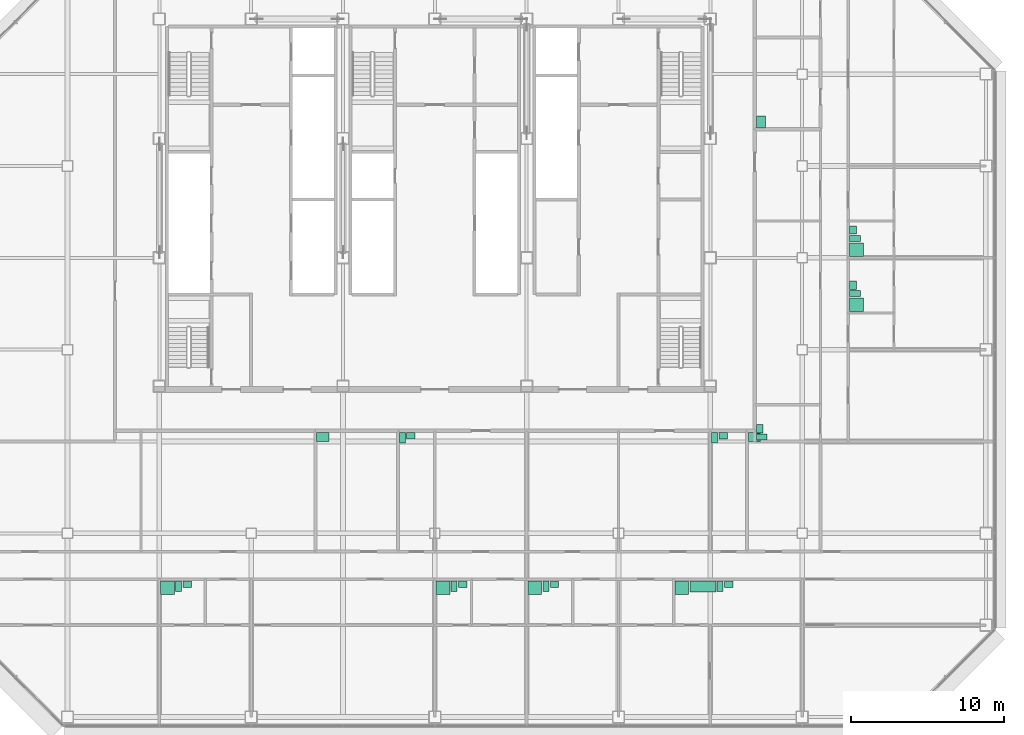
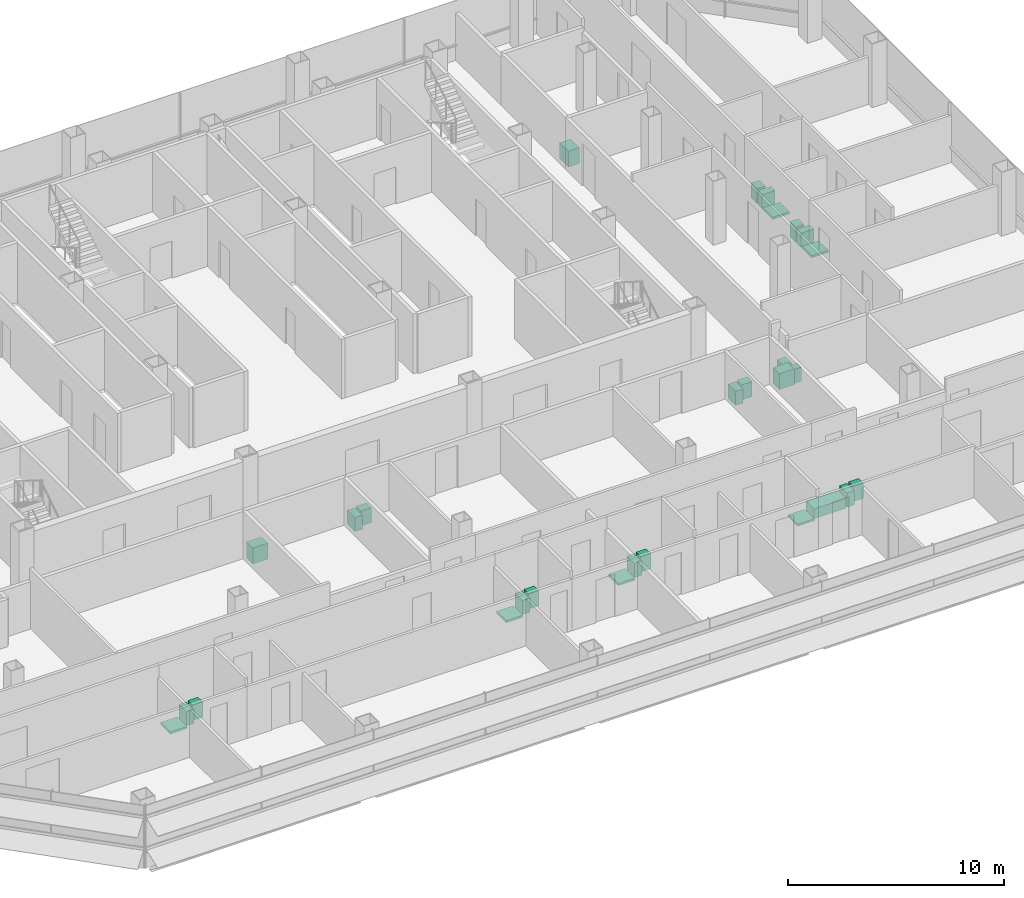
# One storey, part 26 of 26: 28 sanitary terminals.
"""IFC4 building model written with IfcOpenShell, lengths in metres."""

import ifcopenshell
import ifcopenshell.guid

model = None  # the IFC model being written
_history = None  # IfcOwnerHistory: only IFC2X3 demands one
_inside = {}  # id of a spatial element -> (the spatial element, [elements in it])
_under = {}  # id of a project, library or spatial element -> (it, [spatial elements below it])
_declared = {}  # id of a project -> (the project, [libraries it declares])
_typed = {}  # id of a type object -> (the type object, [elements of that type])
_made_of = {}  # id of a material, layer set ... -> (it, [elements and type objects made of it])


def new_model(schema):
    """Start an empty IFC model of exactly this schema.

    Asked for "IFC4X3", IfcOpenShell would pick the latest addendum, in which some entities
    have other attributes; the version numbers below select the first issue.
    IFC2X3 requires an IfcOwnerHistory on every rooted entity: one is made here for all.
    """
    global model, _history
    if schema == "IFC4X3":
        model = ifcopenshell.file(schema_version=(4, 3, 0, 0))
    else:
        model = ifcopenshell.file(schema=schema)
    _inside.clear()
    _under.clear()
    _declared.clear()
    _typed.clear()
    _made_of.clear()
    _history = None
    if model.schema == "IFC2X3":
        org = make("IfcOrganization", Name="unknown")
        user = make(
            "IfcPersonAndOrganization",
            ThePerson=make("IfcPerson", FamilyName="unknown"),
            TheOrganization=org,
        )
        app = make(
            "IfcApplication",
            ApplicationDeveloper=org,
            Version="unknown",
            ApplicationFullName="unknown",
            ApplicationIdentifier="unknown",
        )
        _history = make(
            "IfcOwnerHistory",
            OwningUser=user,
            OwningApplication=app,
            ChangeAction="ADDED",
            CreationDate=0,
        )
    return model


def make(cls, **values):
    """One entity of the class cls with the attributes given. An attribute that is None is left unset."""
    return model.create_entity(
        cls, **{name: value for name, value in values.items() if value is not None}
    )


def rooted(cls, **values):
    """An entity with a GlobalId (a new one), such as an element, a storey or a relation."""
    return make(cls, GlobalId=ifcopenshell.guid.new(), OwnerHistory=_history, **values)


def si_unit(unit_type, name, prefix=None):
    """IfcSIUnit, for example si_unit("LENGTHUNIT", "METRE", prefix="MILLI")."""
    return make("IfcSIUnit", UnitType=unit_type, Prefix=prefix, Name=name)


def assignment(units):
    """IfcUnitAssignment: the units of a project."""
    return None if units is None else make("IfcUnitAssignment", Units=units)


def point(xyz):
    """IfcCartesianPoint."""
    return None if xyz is None else make("IfcCartesianPoint", Coordinates=xyz)


def direction(xyz):
    """IfcDirection."""
    return None if xyz is None else make("IfcDirection", DirectionRatios=xyz)


def frame(location, z_axis=None, x_axis=None):
    """IfcAxis2Placement3D, a coordinate frame: its origin and axes. An axis left out is left unset."""
    return make(
        "IfcAxis2Placement3D",
        Location=point(location),
        Axis=direction(z_axis),
        RefDirection=direction(x_axis),
    )


def frame_2d(location, x_axis=None):
    """IfcAxis2Placement2D, a coordinate frame in the plane: its origin and x axis."""
    return make(
        "IfcAxis2Placement2D", Location=point(location), RefDirection=direction(x_axis)
    )


def origin():
    """The frame at (0, 0, 0) with its axes left unset."""
    return frame((0.0, 0.0, 0.0))


def origin_2d():
    """The frame at (0, 0) in the plane with its x axis left unset."""
    return frame_2d((0.0, 0.0))


def place(relative_to, where):
    """IfcLocalPlacement: puts the frame where relative to a parent placement (None: the world)."""
    return make(
        "IfcLocalPlacement", PlacementRelTo=relative_to, RelativePlacement=where
    )


def context(
    kind, dimensions, precision=None, world=None, true_north=None, identifier=None
):
    """IfcGeometricRepresentationContext, for example the 3D "Model" context."""
    return make(
        "IfcGeometricRepresentationContext",
        ContextIdentifier=identifier,
        ContextType=kind,
        CoordinateSpaceDimension=dimensions,
        Precision=precision,
        WorldCoordinateSystem=world,
        TrueNorth=true_north,
    )


def subcontext(parent, identifier, kind, view, scale=None):
    """IfcGeometricRepresentationSubContext, for example "Body" below "Model"."""
    return make(
        "IfcGeometricRepresentationSubContext",
        ContextIdentifier=identifier,
        ContextType=kind,
        ParentContext=parent,
        TargetScale=scale,
        TargetView=view,
    )


def project(units=None, contexts=None):
    """IfcProject with its units and contexts."""
    return rooted(
        "IfcProject",
        Name="project",
        RepresentationContexts=contexts,
        UnitsInContext=assignment(units),
    )


def spatial(cls, under=None, at=None, **own):
    """A site, building, storey or space (cls), placed at a placement, below another one or the project."""
    s = rooted(cls, ObjectPlacement=at, **own)
    if under is not None:
        _under.setdefault(under.id(), (under, []))[1].append(s)
    return s


def profile(cls, at=None, kind="AREA", **sizes):
    """A parametric profile (cls). Its sizes go by their IFC names, for example OverallWidth=200.0."""
    return make(cls, ProfileType=kind, Position=at, **sizes)


def rectangle(**sizes):
    """IfcRectangleProfileDef."""
    return profile("IfcRectangleProfileDef", **sizes)


def extrude(swept, where, along, depth):
    """IfcExtrudedAreaSolid: the profile swept, set in the frame where, extruded along a direction by depth."""
    return make(
        "IfcExtrudedAreaSolid",
        SweptArea=swept,
        Position=where,
        ExtrudedDirection=direction(along),
        Depth=depth,
    )


def shape(context_of_items, identifier, shape_type, items):
    """IfcShapeRepresentation: the items that make up one representation, for example the "Body"."""
    return make(
        "IfcShapeRepresentation",
        ContextOfItems=context_of_items,
        RepresentationIdentifier=identifier,
        RepresentationType=shape_type,
        Items=items,
    )


def made_of(thing, what):
    """Note that an element or type object is made of a material, layer set ...; save() writes the relation."""
    if what is not None:
        _made_of.setdefault(what.id(), (what, []))[1].append(thing)
    return thing


def element(
    cls,
    number,
    at=None,
    inside=None,
    cuts=None,
    type_object=None,
    material=None,
    context=None,
    identifier="Body",
    shape_type=None,
    held_by="IfcProductDefinitionShape",
    body=None,
    shapes=None,
    **own,
):
    """One element of the class cls, such as IfcWall. Its Tag is "e" and its number.

    at: its placement. inside: the storey or other place that contains it. cuts: it is an
    opening in that element (IfcRelVoidsElement). A single representation is given by context,
    identifier, shape_type and body (its items); several are given by shapes. held_by: the class
    of the entity that holds the representations. save() writes the other relations.
    """
    e = rooted(cls, Tag="e%d" % number, ObjectPlacement=at, **own)
    if body is not None:
        shapes = [shape(context, identifier, shape_type, body)]
    if shapes is not None:
        e.Representation = make(held_by, Representations=shapes)
    if inside is not None:
        _inside.setdefault(inside.id(), (inside, []))[1].append(e)
    if cuts is not None:
        rooted(
            "IfcRelVoidsElement", RelatingBuildingElement=cuts, RelatedOpeningElement=e
        )
    if type_object is not None:
        _typed.setdefault(type_object.id(), (type_object, []))[1].append(e)
    return made_of(e, material)


def aggregate(whole, parts):
    """IfcRelAggregates: a whole, such as a stair, and the parts it consists of."""
    return rooted("IfcRelAggregates", RelatingObject=whole, RelatedObjects=parts)


def save(model, path):
    """Write the relations noted so far, then the file.

    IfcRelAggregates (storeys below a building ...), IfcRelContainedInSpatialStructure (elements
    in a storey), IfcRelDefinesByType, IfcRelAssociatesMaterial and IfcRelDeclares: one each for
    every whole, place, type object, material and project.
    """
    for whole, parts in _under.values():
        aggregate(whole, parts)
    for where, things in _inside.values():
        rooted(
            "IfcRelContainedInSpatialStructure",
            RelatedElements=things,
            RelatingStructure=where,
        )
    for kind, things in _typed.values():
        rooted("IfcRelDefinesByType", RelatedObjects=things, RelatingType=kind)
    for what, things in _made_of.values():
        rooted("IfcRelAssociatesMaterial", RelatedObjects=things, RelatingMaterial=what)
    for by, libraries in _declared.values():
        rooted("IfcRelDeclares", RelatingContext=by, RelatedDefinitions=libraries)
    model.write(path)


model = new_model("IFC4")

# Units and contexts
model_context = context("Model", 3, precision=1e-05, world=origin(), true_north=direction((0.0, 1.0)))
body_context = subcontext(model_context, "Body", "Model", "MODEL_VIEW")
ifc_project = project(units=[si_unit("LENGTHUNIT", "METRE"), si_unit("AREAUNIT", "SQUARE_METRE"), si_unit("VOLUMEUNIT", "CUBIC_METRE"), si_unit("PLANEANGLEUNIT", "RADIAN"), si_unit("MASSUNIT", "GRAM", prefix="KILO")], contexts=[model_context])

# Site, building, storey
site_placement = place(None, origin())
site = spatial("IfcSite", under=ifc_project, at=site_placement, CompositionType="ELEMENT")
building_placement = place(site_placement, origin())
building = spatial("IfcBuilding", under=site, at=building_placement, Name="Sorahane Residences", CompositionType="ELEMENT")
storey_placement = place(building_placement, frame((0.0, 0.0, 110.60009765625)))
storey = spatial("IfcBuildingStorey", under=building, at=storey_placement, Name="L24", CompositionType="ELEMENT", Elevation=110.60009765625)

# Sanitary terminals
sanitary_terminal_1_placement = place(storey_placement, frame((6.530029296875, 8.449951171875, -0.000244140625), z_axis=(0.0, 0.0, 1.0), x_axis=(1.0, 0.0, 0.0)))
element("IfcSanitaryTerminal", 1, at=sanitary_terminal_1_placement, inside=storey, Name="Shower tray En-suite bathroom 24A", PredefinedType="SHOWER", context=body_context, shape_type="SweptSolid", body=[
    extrude(rectangle(XDim=0.89990234375, YDim=0.89990234375, at=origin_2d()), origin(), (0.0, 0.0, 1.0), 0.1201171875),
])
sanitary_terminal_2_placement = place(storey_placement, frame((7.260009765625, 8.550048828125, 0.0), z_axis=(0.0, 0.0, 1.0), x_axis=(1.0, 0.0, 0.0)))
element("IfcSanitaryTerminal", 2, at=sanitary_terminal_2_placement, inside=storey, Name="WC pan En-suite bathroom 24A", PredefinedType="TOILETPAN", context=body_context, shape_type="SweptSolid", body=[
    extrude(rectangle(XDim=0.39990234375, YDim=0.699951171875, at=origin_2d()), origin(), (0.0, 0.0, 1.0), 0.800048828125),
])
sanitary_terminal_3_placement = place(storey_placement, frame((7.81494140625, 8.675048828125, -0.000244140625), z_axis=(0.0, 0.0, 1.0), x_axis=(1.0, 0.0, 0.0)))
element("IfcSanitaryTerminal", 3, at=sanitary_terminal_3_placement, inside=storey, Name="Wash basin En-suite bathroom 24A", PredefinedType="WASHHANDBASIN", context=body_context, shape_type="SweptSolid", body=[
    extrude(rectangle(XDim=0.550048828125, YDim=0.449951171875, at=origin_2d()), origin(), (0.0, 0.0, 1.0), 0.85009765625),
])
sanitary_terminal_4_placement = place(storey_placement, frame((24.530029296875, 8.449951171875, -0.000244140625), z_axis=(0.0, 0.0, 1.0), x_axis=(1.0, 0.0, 0.0)))
element("IfcSanitaryTerminal", 4, at=sanitary_terminal_4_placement, inside=storey, Name="Shower tray En-suite bathroom 24A-2", PredefinedType="SHOWER", context=body_context, shape_type="SweptSolid", body=[
    extrude(rectangle(XDim=0.89990234375, YDim=0.89990234375, at=origin_2d()), origin(), (0.0, 0.0, 1.0), 0.1201171875),
])
sanitary_terminal_5_placement = place(storey_placement, frame((25.260009765625, 8.550048828125, 0.0), z_axis=(0.0, 0.0, 1.0), x_axis=(1.0, 0.0, 0.0)))
element("IfcSanitaryTerminal", 5, at=sanitary_terminal_5_placement, inside=storey, Name="WC pan En-suite bathroom 24A-2", PredefinedType="TOILETPAN", context=body_context, shape_type="SweptSolid", body=[
    extrude(rectangle(XDim=0.39990234375, YDim=0.699951171875, at=origin_2d()), origin(), (0.0, 0.0, 1.0), 0.800048828125),
])
sanitary_terminal_6_placement = place(storey_placement, frame((25.81494140625, 8.675048828125, -0.000244140625), z_axis=(0.0, 0.0, 1.0), x_axis=(1.0, 0.0, 0.0)))
element("IfcSanitaryTerminal", 6, at=sanitary_terminal_6_placement, inside=storey, Name="Wash basin En-suite bathroom 24A-2", PredefinedType="WASHHANDBASIN", context=body_context, shape_type="SweptSolid", body=[
    extrude(rectangle(XDim=0.550048828125, YDim=0.449951171875, at=origin_2d()), origin(), (0.0, 0.0, 1.0), 0.85009765625),
])
sanitary_terminal_7_placement = place(storey_placement, frame((16.679931640625, 18.300048828125, 0.0), z_axis=(0.0, 0.0, 1.0), x_axis=(1.0, 0.0, 0.0)))
element("IfcSanitaryTerminal", 7, at=sanitary_terminal_7_placement, inside=storey, Name="Kitchen sink Kitchen 24A", PredefinedType="SINK", context=body_context, shape_type="SweptSolid", body=[
    extrude(rectangle(XDim=0.800048828125, YDim=0.60009765625, at=origin_2d()), origin(), (0.0, 0.0, 1.0), 0.89990234375),
])
sanitary_terminal_8_placement = place(storey_placement, frame((21.8798828125, 18.25, 0.0), z_axis=(0.0, 0.0, 1.0), x_axis=(1.0, 0.0, 0.0)))
element("IfcSanitaryTerminal", 8, at=sanitary_terminal_8_placement, inside=storey, Name="WC pan Powder room 24A", PredefinedType="TOILETPAN", context=body_context, shape_type="SweptSolid", body=[
    extrude(rectangle(XDim=0.39990234375, YDim=0.699951171875, at=origin_2d()), origin(), (0.0, 0.0, 1.0), 0.800048828125),
])
sanitary_terminal_9_placement = place(storey_placement, frame((22.43505859375, 18.375, -0.000244140625), z_axis=(0.0, 0.0, 1.0), x_axis=(1.0, 0.0, 0.0)))
element("IfcSanitaryTerminal", 9, at=sanitary_terminal_9_placement, inside=storey, Name="Wash basin Powder room 24A", PredefinedType="WASHHANDBASIN", context=body_context, shape_type="SweptSolid", body=[
    extrude(rectangle(XDim=0.550048828125, YDim=0.449951171875, at=origin_2d()), origin(), (0.0, 0.0, 1.0), 0.85009765625),
])
sanitary_terminal_10_placement = place(storey_placement, frame((30.530029296875, 8.449951171875, -0.000244140625), z_axis=(0.0, 0.0, 1.0), x_axis=(1.0, 0.0, 0.0)))
element("IfcSanitaryTerminal", 10, at=sanitary_terminal_10_placement, inside=storey, Name="Shower tray En-suite bathroom 24B", PredefinedType="SHOWER", context=body_context, shape_type="SweptSolid", body=[
    extrude(rectangle(XDim=0.89990234375, YDim=0.89990234375, at=origin_2d()), origin(), (0.0, 0.0, 1.0), 0.1201171875),
])
sanitary_terminal_11_placement = place(storey_placement, frame((31.260009765625, 8.550048828125, 0.0), z_axis=(0.0, 0.0, 1.0), x_axis=(1.0, 0.0, 0.0)))
element("IfcSanitaryTerminal", 11, at=sanitary_terminal_11_placement, inside=storey, Name="WC pan En-suite bathroom 24B", PredefinedType="TOILETPAN", context=body_context, shape_type="SweptSolid", body=[
    extrude(rectangle(XDim=0.39990234375, YDim=0.699951171875, at=origin_2d()), origin(), (0.0, 0.0, 1.0), 0.800048828125),
])
sanitary_terminal_12_placement = place(storey_placement, frame((31.81494140625, 8.675048828125, -0.000244140625), z_axis=(0.0, 0.0, 1.0), x_axis=(1.0, 0.0, 0.0)))
element("IfcSanitaryTerminal", 12, at=sanitary_terminal_12_placement, inside=storey, Name="Wash basin En-suite bathroom 24B", PredefinedType="WASHHANDBASIN", context=body_context, shape_type="SweptSolid", body=[
    extrude(rectangle(XDim=0.550048828125, YDim=0.449951171875, at=origin_2d()), origin(), (0.0, 0.0, 1.0), 0.85009765625),
])
sanitary_terminal_13_placement = place(storey_placement, frame((40.1298828125, 8.449951171875, -0.000244140625), z_axis=(0.0, 0.0, 1.0), x_axis=(1.0, 0.0, 0.0)))
element("IfcSanitaryTerminal", 13, at=sanitary_terminal_13_placement, inside=storey, Name="Shower tray En-suite bathroom 24B-2", PredefinedType="SHOWER", context=body_context, shape_type="SweptSolid", body=[
    extrude(rectangle(XDim=0.89990234375, YDim=0.89990234375, at=origin_2d()), origin(), (0.0, 0.0, 1.0), 0.1201171875),
])
sanitary_terminal_14_placement = place(storey_placement, frame((41.510009765625, 8.52490234375, -0.000244140625), z_axis=(0.0, 0.0, 1.0), x_axis=(1.0, 0.0, 0.0)))
element("IfcSanitaryTerminal", 14, at=sanitary_terminal_14_placement, inside=storey, Name="Bath En-suite bathroom 24B-2", PredefinedType="BATH", context=body_context, shape_type="SweptSolid", body=[
    extrude(rectangle(XDim=1.699951171875, YDim=0.75, at=origin_2d()), origin(), (0.0, 0.0, 1.0), 0.56005859375),
])
sanitary_terminal_15_placement = place(storey_placement, frame((42.639892578125, 8.550048828125, 0.0), z_axis=(0.0, 0.0, 1.0), x_axis=(1.0, 0.0, 0.0)))
element("IfcSanitaryTerminal", 15, at=sanitary_terminal_15_placement, inside=storey, Name="WC pan En-suite bathroom 24B-2", PredefinedType="TOILETPAN", context=body_context, shape_type="SweptSolid", body=[
    extrude(rectangle(XDim=0.39990234375, YDim=0.699951171875, at=origin_2d()), origin(), (0.0, 0.0, 1.0), 0.800048828125),
])
sanitary_terminal_16_placement = place(storey_placement, frame((43.195068359375, 8.675048828125, -0.000244140625), z_axis=(0.0, 0.0, 1.0), x_axis=(1.0, 0.0, 0.0)))
element("IfcSanitaryTerminal", 16, at=sanitary_terminal_16_placement, inside=storey, Name="Wash basin En-suite bathroom 24B-2", PredefinedType="WASHHANDBASIN", context=body_context, shape_type="SweptSolid", body=[
    extrude(rectangle(XDim=0.550048828125, YDim=0.449951171875, at=origin_2d()), origin(), (0.0, 0.0, 1.0), 0.85009765625),
])
sanitary_terminal_17_placement = place(storey_placement, frame((42.280029296875, 18.25, 0.0), z_axis=(0.0, 0.0, 1.0), x_axis=(1.0, 0.0, 0.0)))
element("IfcSanitaryTerminal", 17, at=sanitary_terminal_17_placement, inside=storey, Name="WC pan Guest WC 24B", PredefinedType="TOILETPAN", context=body_context, shape_type="SweptSolid", body=[
    extrude(rectangle(XDim=0.39990234375, YDim=0.699951171875, at=origin_2d()), origin(), (0.0, 0.0, 1.0), 0.800048828125),
])
sanitary_terminal_18_placement = place(storey_placement, frame((42.8349609375, 18.375, -0.000244140625), z_axis=(0.0, 0.0, 1.0), x_axis=(1.0, 0.0, 0.0)))
element("IfcSanitaryTerminal", 18, at=sanitary_terminal_18_placement, inside=storey, Name="Wash basin Guest WC 24B", PredefinedType="WASHHANDBASIN", context=body_context, shape_type="SweptSolid", body=[
    extrude(rectangle(XDim=0.550048828125, YDim=0.449951171875, at=origin_2d()), origin(), (0.0, 0.0, 1.0), 0.85009765625),
])
sanitary_terminal_19_placement = place(storey_placement, frame((44.8798828125, 18.300048828125, 0.0), z_axis=(0.0, 0.0, 1.0), x_axis=(1.0, 0.0, 0.0)))
element("IfcSanitaryTerminal", 19, at=sanitary_terminal_19_placement, inside=storey, Name="Kitchen sink Kitchen 24B", PredefinedType="SINK", context=body_context, shape_type="SweptSolid", body=[
    extrude(rectangle(XDim=0.800048828125, YDim=0.60009765625, at=origin_2d()), origin(), (0.0, 0.0, 1.0), 0.89990234375),
])
sanitary_terminal_20_placement = place(storey_placement, frame((51.550048828125, 26.929931640625, -0.000244140625), z_axis=(0.0, 0.0, 1.0), x_axis=(0.0, 1.0, 0.0)))
element("IfcSanitaryTerminal", 20, at=sanitary_terminal_20_placement, inside=storey, Name="Shower tray En-suite bathroom 24C", PredefinedType="SHOWER", context=body_context, shape_type="SweptSolid", body=[
    extrude(rectangle(XDim=0.89990234375, YDim=0.89990234375, at=origin_2d()), origin(), (0.0, 0.0, 1.0), 0.1201171875),
])
sanitary_terminal_21_placement = place(storey_placement, frame((51.449951171875, 27.659912109375, 0.0), z_axis=(0.0, 0.0, 1.0), x_axis=(0.0, 1.0, 0.0)))
element("IfcSanitaryTerminal", 21, at=sanitary_terminal_21_placement, inside=storey, Name="WC pan En-suite bathroom 24C", PredefinedType="TOILETPAN", context=body_context, shape_type="SweptSolid", body=[
    extrude(rectangle(XDim=0.39990234375, YDim=0.699951171875, at=origin_2d()), origin(), (0.0, 0.0, 1.0), 0.800048828125),
])
sanitary_terminal_22_placement = place(storey_placement, frame((51.324951171875, 28.215087890625, -0.000244140625), z_axis=(0.0, 0.0, 1.0), x_axis=(0.0, 1.0, 0.0)))
element("IfcSanitaryTerminal", 22, at=sanitary_terminal_22_placement, inside=storey, Name="Wash basin En-suite bathroom 24C", PredefinedType="WASHHANDBASIN", context=body_context, shape_type="SweptSolid", body=[
    extrude(rectangle(XDim=0.550048828125, YDim=0.449951171875, at=origin_2d()), origin(), (0.0, 0.0, 1.0), 0.85009765625),
])
sanitary_terminal_23_placement = place(storey_placement, frame((51.550048828125, 30.530029296875, -0.000244140625), z_axis=(0.0, 0.0, 1.0), x_axis=(0.0, 1.0, 0.0)))
element("IfcSanitaryTerminal", 23, at=sanitary_terminal_23_placement, inside=storey, Name="Shower tray En-suite bathroom 24C-2", PredefinedType="SHOWER", context=body_context, shape_type="SweptSolid", body=[
    extrude(rectangle(XDim=0.89990234375, YDim=0.89990234375, at=origin_2d()), origin(), (0.0, 0.0, 1.0), 0.1201171875),
])
sanitary_terminal_24_placement = place(storey_placement, frame((51.449951171875, 31.260009765625, 0.0), z_axis=(0.0, 0.0, 1.0), x_axis=(0.0, 1.0, 0.0)))
element("IfcSanitaryTerminal", 24, at=sanitary_terminal_24_placement, inside=storey, Name="WC pan En-suite bathroom 24C-2", PredefinedType="TOILETPAN", context=body_context, shape_type="SweptSolid", body=[
    extrude(rectangle(XDim=0.39990234375, YDim=0.699951171875, at=origin_2d()), origin(), (0.0, 0.0, 1.0), 0.800048828125),
])
sanitary_terminal_25_placement = place(storey_placement, frame((51.324951171875, 31.81494140625, -0.000244140625), z_axis=(0.0, 0.0, 1.0), x_axis=(0.0, 1.0, 0.0)))
element("IfcSanitaryTerminal", 25, at=sanitary_terminal_25_placement, inside=storey, Name="Wash basin En-suite bathroom 24C-2", PredefinedType="WASHHANDBASIN", context=body_context, shape_type="SweptSolid", body=[
    extrude(rectangle(XDim=0.550048828125, YDim=0.449951171875, at=origin_2d()), origin(), (0.0, 0.0, 1.0), 0.85009765625),
])
sanitary_terminal_26_placement = place(storey_placement, frame((45.35009765625, 18.280029296875, 0.0), z_axis=(0.0, 0.0, 1.0), x_axis=(0.0, 1.0, 0.0)))
element("IfcSanitaryTerminal", 26, at=sanitary_terminal_26_placement, inside=storey, Name="WC pan Powder room 24C", PredefinedType="TOILETPAN", context=body_context, shape_type="SweptSolid", body=[
    extrude(rectangle(XDim=0.39990234375, YDim=0.699951171875, at=origin_2d()), origin(), (0.0, 0.0, 1.0), 0.800048828125),
])
sanitary_terminal_27_placement = place(storey_placement, frame((45.22509765625, 18.8349609375, -0.000244140625), z_axis=(0.0, 0.0, 1.0), x_axis=(0.0, 1.0, 0.0)))
element("IfcSanitaryTerminal", 27, at=sanitary_terminal_27_placement, inside=storey, Name="Wash basin Powder room 24C", PredefinedType="WASHHANDBASIN", context=body_context, shape_type="SweptSolid", body=[
    extrude(rectangle(XDim=0.550048828125, YDim=0.449951171875, at=origin_2d()), origin(), (0.0, 0.0, 1.0), 0.85009765625),
])
sanitary_terminal_28_placement = place(storey_placement, frame((45.300048828125, 38.8798828125, 0.0), z_axis=(0.0, 0.0, 1.0), x_axis=(0.0, 1.0, 0.0)))
element("IfcSanitaryTerminal", 28, at=sanitary_terminal_28_placement, inside=storey, Name="Kitchen sink Kitchen 24C", PredefinedType="SINK", context=body_context, shape_type="SweptSolid", body=[
    extrude(rectangle(XDim=0.800048828125, YDim=0.60009765625, at=origin_2d()), origin(), (0.0, 0.0, 1.0), 0.89990234375),
])

save(model, "model.ifc")
